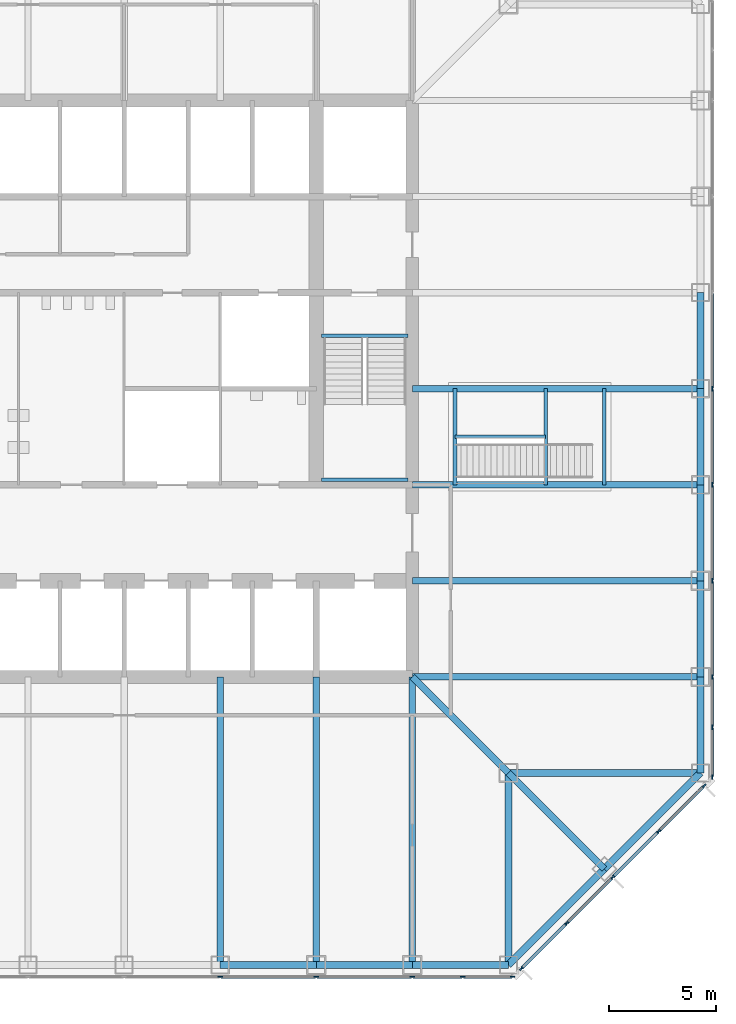
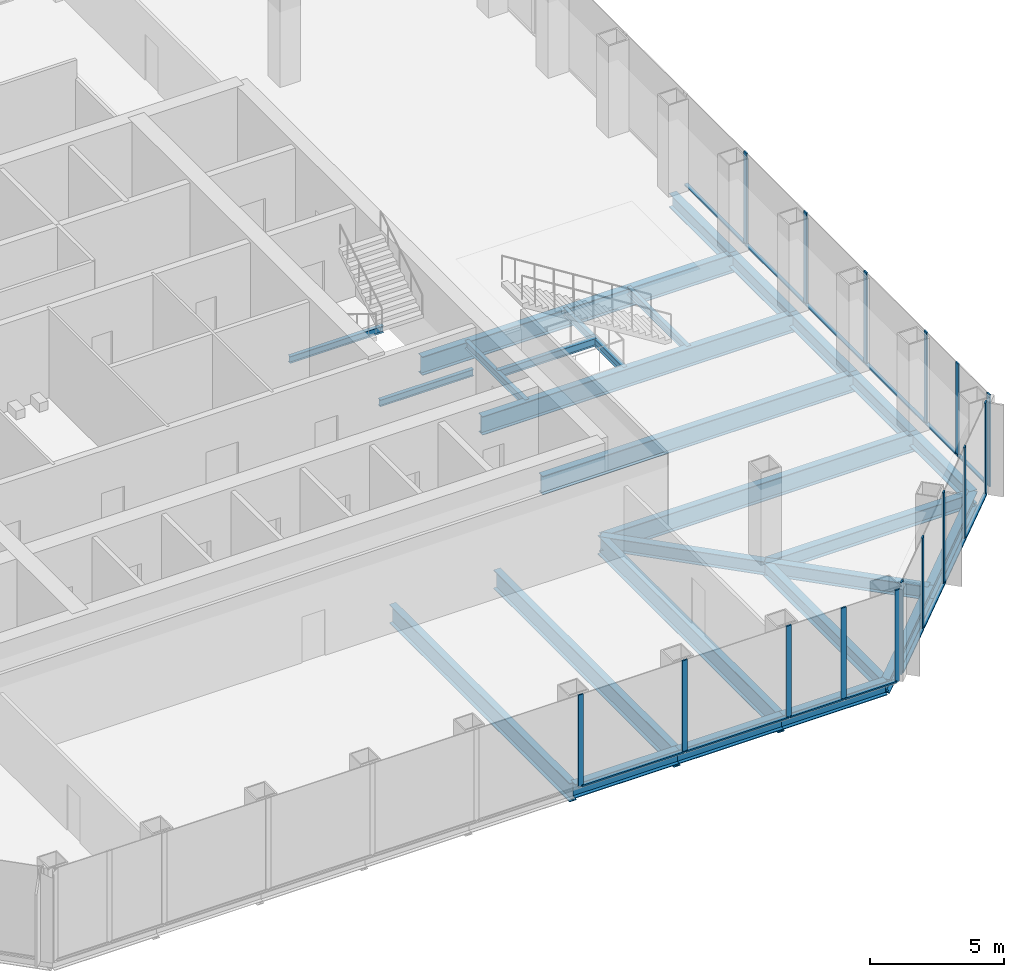
# One storey, part 4 of 12: 30 members, 27 beams, 3 elements without a shape of their own.
"""IFC4 building model written with IfcOpenShell, lengths in metres."""

import ifcopenshell
import ifcopenshell.guid

model = None  # the IFC model being written
_history = None  # IfcOwnerHistory: only IFC2X3 demands one
_inside = {}  # id of a spatial element -> (the spatial element, [elements in it])
_under = {}  # id of a project, library or spatial element -> (it, [spatial elements below it])
_declared = {}  # id of a project -> (the project, [libraries it declares])
_typed = {}  # id of a type object -> (the type object, [elements of that type])
_made_of = {}  # id of a material, layer set ... -> (it, [elements and type objects made of it])


def new_model(schema):
    """Start an empty IFC model of exactly this schema.

    Asked for "IFC4X3", IfcOpenShell would pick the latest addendum, in which some entities
    have other attributes; the version numbers below select the first issue.
    IFC2X3 requires an IfcOwnerHistory on every rooted entity: one is made here for all.
    """
    global model, _history
    if schema == "IFC4X3":
        model = ifcopenshell.file(schema_version=(4, 3, 0, 0))
    else:
        model = ifcopenshell.file(schema=schema)
    _inside.clear()
    _under.clear()
    _declared.clear()
    _typed.clear()
    _made_of.clear()
    _history = None
    if model.schema == "IFC2X3":
        org = make("IfcOrganization", Name="unknown")
        user = make(
            "IfcPersonAndOrganization",
            ThePerson=make("IfcPerson", FamilyName="unknown"),
            TheOrganization=org,
        )
        app = make(
            "IfcApplication",
            ApplicationDeveloper=org,
            Version="unknown",
            ApplicationFullName="unknown",
            ApplicationIdentifier="unknown",
        )
        _history = make(
            "IfcOwnerHistory",
            OwningUser=user,
            OwningApplication=app,
            ChangeAction="ADDED",
            CreationDate=0,
        )
    return model


def make(cls, **values):
    """One entity of the class cls with the attributes given. An attribute that is None is left unset."""
    return model.create_entity(
        cls, **{name: value for name, value in values.items() if value is not None}
    )


def rooted(cls, **values):
    """An entity with a GlobalId (a new one), such as an element, a storey or a relation."""
    return make(cls, GlobalId=ifcopenshell.guid.new(), OwnerHistory=_history, **values)


def si_unit(unit_type, name, prefix=None):
    """IfcSIUnit, for example si_unit("LENGTHUNIT", "METRE", prefix="MILLI")."""
    return make("IfcSIUnit", UnitType=unit_type, Prefix=prefix, Name=name)


def assignment(units):
    """IfcUnitAssignment: the units of a project."""
    return None if units is None else make("IfcUnitAssignment", Units=units)


def point(xyz):
    """IfcCartesianPoint."""
    return None if xyz is None else make("IfcCartesianPoint", Coordinates=xyz)


def direction(xyz):
    """IfcDirection."""
    return None if xyz is None else make("IfcDirection", DirectionRatios=xyz)


def frame(location, z_axis=None, x_axis=None):
    """IfcAxis2Placement3D, a coordinate frame: its origin and axes. An axis left out is left unset."""
    return make(
        "IfcAxis2Placement3D",
        Location=point(location),
        Axis=direction(z_axis),
        RefDirection=direction(x_axis),
    )


def frame_2d(location, x_axis=None):
    """IfcAxis2Placement2D, a coordinate frame in the plane: its origin and x axis."""
    return make(
        "IfcAxis2Placement2D", Location=point(location), RefDirection=direction(x_axis)
    )


def origin():
    """The frame at (0, 0, 0) with its axes left unset."""
    return frame((0.0, 0.0, 0.0))


def origin_2d():
    """The frame at (0, 0) in the plane with its x axis left unset."""
    return frame_2d((0.0, 0.0))


def place(relative_to, where):
    """IfcLocalPlacement: puts the frame where relative to a parent placement (None: the world)."""
    return make(
        "IfcLocalPlacement", PlacementRelTo=relative_to, RelativePlacement=where
    )


def context(
    kind, dimensions, precision=None, world=None, true_north=None, identifier=None
):
    """IfcGeometricRepresentationContext, for example the 3D "Model" context."""
    return make(
        "IfcGeometricRepresentationContext",
        ContextIdentifier=identifier,
        ContextType=kind,
        CoordinateSpaceDimension=dimensions,
        Precision=precision,
        WorldCoordinateSystem=world,
        TrueNorth=true_north,
    )


def subcontext(parent, identifier, kind, view, scale=None):
    """IfcGeometricRepresentationSubContext, for example "Body" below "Model"."""
    return make(
        "IfcGeometricRepresentationSubContext",
        ContextIdentifier=identifier,
        ContextType=kind,
        ParentContext=parent,
        TargetScale=scale,
        TargetView=view,
    )


def project(units=None, contexts=None):
    """IfcProject with its units and contexts."""
    return rooted(
        "IfcProject",
        Name="project",
        RepresentationContexts=contexts,
        UnitsInContext=assignment(units),
    )


def spatial(cls, under=None, at=None, **own):
    """A site, building, storey or space (cls), placed at a placement, below another one or the project."""
    s = rooted(cls, ObjectPlacement=at, **own)
    if under is not None:
        _under.setdefault(under.id(), (under, []))[1].append(s)
    return s


def profile(cls, at=None, kind="AREA", **sizes):
    """A parametric profile (cls). Its sizes go by their IFC names, for example OverallWidth=200.0."""
    return make(cls, ProfileType=kind, Position=at, **sizes)


def rectangle(**sizes):
    """IfcRectangleProfileDef."""
    return profile("IfcRectangleProfileDef", **sizes)


def i_section(**sizes):
    """IfcIShapeProfileDef."""
    return profile("IfcIShapeProfileDef", **sizes)


def extrude(swept, where, along, depth):
    """IfcExtrudedAreaSolid: the profile swept, set in the frame where, extruded along a direction by depth."""
    return make(
        "IfcExtrudedAreaSolid",
        SweptArea=swept,
        Position=where,
        ExtrudedDirection=direction(along),
        Depth=depth,
    )


def shape(context_of_items, identifier, shape_type, items):
    """IfcShapeRepresentation: the items that make up one representation, for example the "Body"."""
    return make(
        "IfcShapeRepresentation",
        ContextOfItems=context_of_items,
        RepresentationIdentifier=identifier,
        RepresentationType=shape_type,
        Items=items,
    )


def material(Name=None, Category=None):
    """IfcMaterial."""
    return make("IfcMaterial", Name=Name, Category=Category)


def material_profile(
    of_material, cross_section, Name=None, Category=None, Priority=None
):
    """IfcMaterialProfile: a cross section and its material."""
    return make(
        "IfcMaterialProfile",
        Name=Name,
        Material=of_material,
        Profile=cross_section,
        Priority=Priority,
        Category=Category,
    )


def profile_set(profiles, Name=None, composite=None):
    """IfcMaterialProfileSet."""
    return make(
        "IfcMaterialProfileSet",
        Name=Name,
        MaterialProfiles=profiles,
        CompositeProfile=composite,
    )


def made_of(thing, what):
    """Note that an element or type object is made of a material, layer set ...; save() writes the relation."""
    if what is not None:
        _made_of.setdefault(what.id(), (what, []))[1].append(thing)
    return thing


def type_object(cls, material=None, **own):
    """A type object (cls), such as IfcWallType, which elements share."""
    return made_of(rooted(cls, **own), material)


def element(
    cls,
    number,
    at=None,
    inside=None,
    cuts=None,
    type_object=None,
    material=None,
    context=None,
    identifier="Body",
    shape_type=None,
    held_by="IfcProductDefinitionShape",
    body=None,
    shapes=None,
    **own,
):
    """One element of the class cls, such as IfcWall. Its Tag is "e" and its number.

    at: its placement. inside: the storey or other place that contains it. cuts: it is an
    opening in that element (IfcRelVoidsElement). A single representation is given by context,
    identifier, shape_type and body (its items); several are given by shapes. held_by: the class
    of the entity that holds the representations. save() writes the other relations.
    """
    e = rooted(cls, Tag="e%d" % number, ObjectPlacement=at, **own)
    if body is not None:
        shapes = [shape(context, identifier, shape_type, body)]
    if shapes is not None:
        e.Representation = make(held_by, Representations=shapes)
    if inside is not None:
        _inside.setdefault(inside.id(), (inside, []))[1].append(e)
    if cuts is not None:
        rooted(
            "IfcRelVoidsElement", RelatingBuildingElement=cuts, RelatedOpeningElement=e
        )
    if type_object is not None:
        _typed.setdefault(type_object.id(), (type_object, []))[1].append(e)
    return made_of(e, material)


def aggregate(whole, parts):
    """IfcRelAggregates: a whole, such as a stair, and the parts it consists of."""
    return rooted("IfcRelAggregates", RelatingObject=whole, RelatedObjects=parts)


def save(model, path):
    """Write the relations noted so far, then the file.

    IfcRelAggregates (storeys below a building ...), IfcRelContainedInSpatialStructure (elements
    in a storey), IfcRelDefinesByType, IfcRelAssociatesMaterial and IfcRelDeclares: one each for
    every whole, place, type object, material and project.
    """
    for whole, parts in _under.values():
        aggregate(whole, parts)
    for where, things in _inside.values():
        rooted(
            "IfcRelContainedInSpatialStructure",
            RelatedElements=things,
            RelatingStructure=where,
        )
    for kind, things in _typed.values():
        rooted("IfcRelDefinesByType", RelatedObjects=things, RelatingType=kind)
    for what, things in _made_of.values():
        rooted("IfcRelAssociatesMaterial", RelatedObjects=things, RelatingMaterial=what)
    for by, libraries in _declared.values():
        rooted("IfcRelDeclares", RelatingContext=by, RelatedDefinitions=libraries)
    model.write(path)


model = new_model("IFC4")

# Units and contexts
model_context = context("Model", 3, precision=1e-05, world=origin(), true_north=direction((0.0, 1.0)))
body_context = subcontext(model_context, "Body", "Model", "MODEL_VIEW")
ifc_project = project(units=[si_unit("LENGTHUNIT", "METRE"), si_unit("AREAUNIT", "SQUARE_METRE"), si_unit("VOLUMEUNIT", "CUBIC_METRE"), si_unit("PLANEANGLEUNIT", "RADIAN"), si_unit("MASSUNIT", "GRAM", prefix="KILO")], contexts=[model_context])

# Site, building, storey
site_placement = place(None, origin())
site = spatial("IfcSite", under=ifc_project, at=site_placement, CompositionType="ELEMENT")
building_placement = place(site_placement, origin())
building = spatial("IfcBuilding", under=site, at=building_placement, Name="Corais Broadcast Tower", CompositionType="ELEMENT")
storey_placement = place(building_placement, frame((0.0, 0.0, 37.39990234375)))
storey = spatial("IfcBuildingStorey", under=building, at=storey_placement, Name="L07", CompositionType="ELEMENT", Elevation=37.39990234375)

# Beams
ifc_material_1 = material(Name="Steel ASTM A572 Grade 50", Category="steel")
ifc_material_profile_1 = material_profile(ifc_material_1, i_section(OverallWidth=0.323974609375, OverallDepth=0.611083984375, WebThickness=0.0126953125, FlangeThickness=0.01904296875, at=origin_2d()), Name="W610x155")
ifc_profile_set_1 = profile_set([ifc_material_profile_1], Name="Steel ASTM A572 Grade 50")
beam_type_1 = type_object("IfcBeamType", Name="Chamfer tie W610x155", PredefinedType="BEAM", material=ifc_profile_set_1)
beam_1_placement = place(storey_placement, frame((49.5, 4.5, -0.46533203125), z_axis=(-0.707106781187, 0.707106781187, 0.0), x_axis=(-0.707106781187, -0.707106781187, 0.0)))
element("IfcBeam", 1, at=beam_1_placement, inside=storey, type_object=beam_type_1, Name="B5 B/14 to C/13", PredefinedType="BEAM", context=body_context, shape_type="SweptSolid", body=[
    extrude(i_section(OverallWidth=0.323974609375, OverallDepth=0.611083984375, WebThickness=0.0126953125, FlangeThickness=0.01904296875, at=origin_2d()), origin(), (0.0, 0.0, 1.0), 6.364013671875),
])
ifc_material_2 = material(Name="Steel ASTM A572 Grade 50", Category="steel")
ifc_material_profile_2 = material_profile(ifc_material_2, i_section(OverallWidth=0.323974609375, OverallDepth=0.611083984375, WebThickness=0.0126953125, FlangeThickness=0.01904296875, at=origin_2d()), Name="W610x155")
ifc_profile_set_2 = profile_set([ifc_material_profile_2], Name="Steel ASTM A572 Grade 50")
beam_type_2 = type_object("IfcBeamType", Name="Corner diagonal W610x155", PredefinedType="BEAM", material=ifc_profile_set_2)
beam_2_placement = place(storey_placement, frame((45.0, 9.0, -0.46533203125), z_axis=(-0.707106781187, 0.707106781187, 0.0), x_axis=(-0.707106781187, -0.707106781187, 0.0)))
element("IfcBeam", 2, at=beam_2_placement, inside=storey, type_object=beam_type_2, Name="B6 C/13 to D/12", PredefinedType="BEAM", context=body_context, shape_type="SweptSolid", body=[
    extrude(i_section(OverallWidth=0.323974609375, OverallDepth=0.611083984375, WebThickness=0.0126953125, FlangeThickness=0.01904296875, at=origin_2d()), origin(), (0.0, 0.0, 1.0), 6.364013671875),
])
ifc_material_3 = material(Name="Steel ASTM A572 Grade 50", Category="steel")
ifc_material_profile_3 = material_profile(ifc_material_3, i_section(OverallWidth=0.323974609375, OverallDepth=0.611083984375, WebThickness=0.0126953125, FlangeThickness=0.01904296875, at=origin_2d()), Name="W610x155")
ifc_profile_set_3 = profile_set([ifc_material_profile_3], Name="Steel ASTM A572 Grade 50")
beam_type_3 = type_object("IfcBeamType", Name="Corner girder W610x155", PredefinedType="BEAM", material=ifc_profile_set_3)
for number, where, z_axis, x_axis, name in (
    (3, (45.0, 0.0, -0.46533203125), (0.0, 1.0, 0.0), (-1.0, 0.0, 0.0), "B4 A/13 to C/13"),
    (4, (54.0, 9.0, -0.46533203125), (-1.0, 0.0, 0.0), (0.0, -1.0, 0.0), "B4 C/15 to C/13"),
):
    element("IfcBeam", number, at=place(storey_placement, frame(where, z_axis=z_axis, x_axis=x_axis)), inside=storey, type_object=beam_type_3, Name=name, PredefinedType="BEAM", context=body_context, shape_type="SweptSolid", body=[
        extrude(i_section(OverallWidth=0.323974609375, OverallDepth=0.611083984375, WebThickness=0.0126953125, FlangeThickness=0.01904296875, at=origin_2d()), origin(), (0.0, 0.0, 1.0), 9.0),
    ])
ifc_material_4 = material(Name="Steel ASTM A572 Grade 50", Category="steel")
ifc_material_profile_4 = material_profile(ifc_material_4, i_section(OverallWidth=0.2939453125, OverallDepth=0.85107421875, WebThickness=0.01611328125, FlangeThickness=0.02685546875, at=origin_2d()), Name="W840x226")
ifc_profile_set_4 = profile_set([ifc_material_profile_4], Name="Steel ASTM A572 Grade 50")
beam_type_4 = type_object("IfcBeamType", Name="Floor beam W840x226", PredefinedType="BEAM", material=ifc_profile_set_4)
for number, where, z_axis, x_axis, name in (
    (5, (31.5, 0.0, -0.58544921875), (0.0, 1.0, 0.0), (-1.0, 0.0, 0.0), "B1 A/10 to D/10"),
    (6, (36.0, 0.0, -0.58544921875), (0.0, 1.0, 0.0), (-1.0, 0.0, 0.0), "B1 A/11 to D/11"),
    (7, (40.5, 0.0, -0.58544921875), (0.0, 1.0, 0.0), (-1.0, 0.0, 0.0), "B1 A/12 to D/12"),
    (8, (54.0, 13.5, -0.58544921875), (-1.0, 0.0, 0.0), (0.0, -1.0, 0.0), "B1 D/15 to D/12"),
    (9, (54.0, 18.0, -0.58544921875), (-1.0, 0.0, 0.0), (0.0, -1.0, 0.0), "B1 E/15 to E/12"),
    (10, (54.0, 22.5, -0.58544921875), (-1.0, 0.0, 0.0), (0.0, -1.0, 0.0), "B1 F/15 to F/12"),
    (11, (54.0, 27.0, -0.58544921875), (-1.0, 0.0, 0.0), (0.0, -1.0, 0.0), "B1 G/15 to G/12"),
):
    element("IfcBeam", number, at=place(storey_placement, frame(where, z_axis=z_axis, x_axis=x_axis)), inside=storey, type_object=beam_type_4, Name=name, PredefinedType="BEAM", context=body_context, shape_type="SweptSolid", body=[
        extrude(i_section(OverallWidth=0.2939453125, OverallDepth=0.85107421875, WebThickness=0.01611328125, FlangeThickness=0.02685546875, at=origin_2d()), origin(), (0.0, 0.0, 1.0), 13.5),
    ])
ifc_material_5 = material(Name="Steel ASTM A572 Grade 50", Category="steel")
ifc_material_profile_5 = material_profile(ifc_material_5, i_section(OverallWidth=0.1650390625, OverallDepth=0.31005859375, WebThickness=0.005859375, FlangeThickness=0.009765625, at=origin_2d()), Name="W310x38.7")
ifc_profile_set_5 = profile_set([ifc_material_profile_5], Name="Steel ASTM A572 Grade 50")
beam_type_5 = type_object("IfcBeamType", Name="Landing trimmer W310x38.7", PredefinedType="BEAM", material=ifc_profile_set_5)
for number, where, z_axis, x_axis, name in (
    (12, (36.25, 29.47509765625, -0.35498046875), (1.0, 0.0, 0.0), (0.0, 1.0, 0.0), "LT1 stair B landing trimmer L07"),
    (13, (36.25, 22.739990234375, 1.7451171875), (1.0, 0.0, 0.0), (0.0, 1.0, 0.0), "LT1 stair B half landing trimmer L07"),
):
    element("IfcBeam", number, at=place(storey_placement, frame(where, z_axis=z_axis, x_axis=x_axis)), inside=storey, type_object=beam_type_5, Name=name, PredefinedType="BEAM", context=body_context, shape_type="SweptSolid", body=[
        extrude(i_section(OverallWidth=0.1650390625, OverallDepth=0.31005859375, WebThickness=0.005859375, FlangeThickness=0.009765625, at=origin_2d()), origin(), (0.0, 0.0, 1.0), 4.050048828125),
    ])

# Curtain wall, members
ifc_material_6 = material(Name="Aluminium and glass", Category="aluminium")
curtain_wall_type = type_object("IfcCurtainWallType", Name="Newsroom clear-glass curtain wall CW7", PredefinedType="NOTDEFINED", material=ifc_material_6)
curtain_wall_1_placement = place(storey_placement, origin())
curtain_wall_1 = element("IfcCurtainWall", 14, at=curtain_wall_1_placement, inside=storey, type_object=curtain_wall_type, Name="CW7 curtain wall L07 6", PredefinedType="NOTDEFINED")
ifc_material_7 = material(Name="Aluminium 6063-T6", Category="aluminium")
ifc_material_profile_6 = material_profile(ifc_material_7, rectangle(XDim=0.06494140625, YDim=0.219970703125, at=origin_2d()), Name="Mullion CW7 65x220")
ifc_profile_set_6 = profile_set([ifc_material_profile_6], Name="Aluminium 6063-T6")
member_type_1 = type_object("IfcMemberType", Name="Mullion CW7 65x220", PredefinedType="MULLION", material=ifc_profile_set_6)
member_1_placement = place(storey_placement, frame((54.550048828125, 27.0, 0.0), z_axis=(0.0, 0.0, 1.0), x_axis=(1.0, 0.0, 0.0)))
member_1 = element("IfcMember", 15, at=member_1_placement, type_object=member_type_1, Name="CW7 mullion 6", PredefinedType="MULLION", context=body_context, shape_type="SweptSolid", body=[
    extrude(rectangle(XDim=0.06494140625, YDim=0.219970703125, at=origin_2d()), origin(), (0.0, 0.0, 1.0), 4.2001953125),
])
member_2_placement = place(storey_placement, frame((54.550048828125, 22.5, 0.0), z_axis=(0.0, 0.0, 1.0), x_axis=(1.0, 0.0, 0.0)))
member_2 = element("IfcMember", 16, at=member_2_placement, type_object=member_type_1, Name="CW7 mullion 7", PredefinedType="MULLION", context=body_context, shape_type="SweptSolid", body=[
    extrude(rectangle(XDim=0.06494140625, YDim=0.219970703125, at=origin_2d()), origin(), (0.0, 0.0, 1.0), 4.2001953125),
])
member_3_placement = place(storey_placement, frame((54.550048828125, 18.0, 0.0), z_axis=(0.0, 0.0, 1.0), x_axis=(1.0, 0.0, 0.0)))
member_3 = element("IfcMember", 17, at=member_3_placement, type_object=member_type_1, Name="CW7 mullion 8", PredefinedType="MULLION", context=body_context, shape_type="SweptSolid", body=[
    extrude(rectangle(XDim=0.06494140625, YDim=0.219970703125, at=origin_2d()), origin(), (0.0, 0.0, 1.0), 4.2001953125),
])
member_4_placement = place(storey_placement, frame((54.550048828125, 13.5, 0.0), z_axis=(0.0, 0.0, 1.0), x_axis=(1.0, 0.0, 0.0)))
member_4 = element("IfcMember", 18, at=member_4_placement, type_object=member_type_1, Name="CW7 mullion 9", PredefinedType="MULLION", context=body_context, shape_type="SweptSolid", body=[
    extrude(rectangle(XDim=0.06494140625, YDim=0.219970703125, at=origin_2d()), origin(), (0.0, 0.0, 1.0), 4.2001953125),
])
member_5_placement = place(storey_placement, frame((54.550048828125, 11.135986328125, 0.0), z_axis=(0.0, 0.0, 1.0), x_axis=(1.0, 0.0, 0.0)))
member_5 = element("IfcMember", 19, at=member_5_placement, type_object=member_type_1, Name="CW7 mullion 10", PredefinedType="MULLION", context=body_context, shape_type="SweptSolid", body=[
    extrude(rectangle(XDim=0.06494140625, YDim=0.219970703125, at=origin_2d()), origin(), (0.0, 0.0, 1.0), 4.2001953125),
])
member_6_placement = place(storey_placement, frame((54.550048828125, 8.8046875, 0.0), z_axis=(0.0, 0.0, 1.0), x_axis=(1.0, 0.0, 0.0)))
member_6 = element("IfcMember", 20, at=member_6_placement, type_object=member_type_1, Name="CW7 mullion 11", PredefinedType="MULLION", context=body_context, shape_type="SweptSolid", body=[
    extrude(rectangle(XDim=0.06494140625, YDim=0.219970703125, at=origin_2d()), origin(), (0.0, 0.0, 1.0), 4.2001953125),
])

curtain_wall_2_placement = place(storey_placement, origin())
curtain_wall_2 = element("IfcCurtainWall", 21, at=curtain_wall_2_placement, inside=storey, type_object=curtain_wall_type, Name="CW7 curtain wall L07 7", PredefinedType="NOTDEFINED")
member_7_placement = place(storey_placement, frame((54.17333984375, 8.3955078125, 0.0), z_axis=(0.0, 0.0, 1.0), x_axis=(0.707106781187, -0.707106781187, 0.0)))
member_7 = element("IfcMember", 22, at=member_7_placement, type_object=member_type_1, Name="CW7 mullion 1", PredefinedType="MULLION", context=body_context, shape_type="SweptSolid", body=[
    extrude(rectangle(XDim=0.06494140625, YDim=0.219970703125, at=origin_2d()), origin(), (0.0, 0.0, 1.0), 4.2001953125),
])
member_8_placement = place(storey_placement, frame((52.042724609375, 6.264892578125, 0.0), z_axis=(0.0, 0.0, 1.0), x_axis=(0.707106781187, -0.707106781187, 0.0)))
member_8 = element("IfcMember", 23, at=member_8_placement, type_object=member_type_1, Name="CW7 mullion 2", PredefinedType="MULLION", context=body_context, shape_type="SweptSolid", body=[
    extrude(rectangle(XDim=0.06494140625, YDim=0.219970703125, at=origin_2d()), origin(), (0.0, 0.0, 1.0), 4.2001953125),
])
member_9_placement = place(storey_placement, frame((49.888916015625, 4.111083984375, 0.0), z_axis=(0.0, 0.0, 1.0), x_axis=(0.707106781187, -0.707106781187, 0.0)))
member_9 = element("IfcMember", 24, at=member_9_placement, type_object=member_type_1, Name="CW7 mullion 3", PredefinedType="MULLION", context=body_context, shape_type="SweptSolid", body=[
    extrude(rectangle(XDim=0.06494140625, YDim=0.219970703125, at=origin_2d()), origin(), (0.0, 0.0, 1.0), 4.2001953125),
])
member_10_placement = place(storey_placement, frame((47.735107421875, 1.957275390625, 0.0), z_axis=(0.0, 0.0, 1.0), x_axis=(0.707106781187, -0.707106781187, 0.0)))
member_10 = element("IfcMember", 25, at=member_10_placement, type_object=member_type_1, Name="CW7 mullion 4", PredefinedType="MULLION", context=body_context, shape_type="SweptSolid", body=[
    extrude(rectangle(XDim=0.06494140625, YDim=0.219970703125, at=origin_2d()), origin(), (0.0, 0.0, 1.0), 4.2001953125),
])
member_11_placement = place(storey_placement, frame((45.6044921875, -0.17333984375, 0.0), z_axis=(0.0, 0.0, 1.0), x_axis=(0.707106781187, -0.707106781187, 0.0)))
member_11 = element("IfcMember", 26, at=member_11_placement, type_object=member_type_1, Name="CW7 mullion 5", PredefinedType="MULLION", context=body_context, shape_type="SweptSolid", body=[
    extrude(rectangle(XDim=0.06494140625, YDim=0.219970703125, at=origin_2d()), origin(), (0.0, 0.0, 1.0), 4.2001953125),
])

curtain_wall_3_placement = place(storey_placement, origin())
curtain_wall_3 = element("IfcCurtainWall", 27, at=curtain_wall_3_placement, inside=storey, type_object=curtain_wall_type, Name="CW7 curtain wall L07 8", PredefinedType="NOTDEFINED")
member_12_placement = place(storey_placement, frame((45.1953125, -0.550048828125, 0.0), z_axis=(0.0, 0.0, 1.0), x_axis=(0.0, -1.0, 0.0)))
member_12 = element("IfcMember", 28, at=member_12_placement, type_object=member_type_1, Name="CW7 mullion 1", PredefinedType="MULLION", context=body_context, shape_type="SweptSolid", body=[
    extrude(rectangle(XDim=0.06494140625, YDim=0.219970703125, at=origin_2d()), origin(), (0.0, 0.0, 1.0), 4.2001953125),
])
member_13_placement = place(storey_placement, frame((42.864013671875, -0.550048828125, 0.0), z_axis=(0.0, 0.0, 1.0), x_axis=(0.0, -1.0, 0.0)))
member_13 = element("IfcMember", 29, at=member_13_placement, type_object=member_type_1, Name="CW7 mullion 2", PredefinedType="MULLION", context=body_context, shape_type="SweptSolid", body=[
    extrude(rectangle(XDim=0.06494140625, YDim=0.219970703125, at=origin_2d()), origin(), (0.0, 0.0, 1.0), 4.2001953125),
])
member_14_placement = place(storey_placement, frame((40.5, -0.550048828125, 0.0), z_axis=(0.0, 0.0, 1.0), x_axis=(0.0, -1.0, 0.0)))
member_14 = element("IfcMember", 30, at=member_14_placement, type_object=member_type_1, Name="CW7 mullion 3", PredefinedType="MULLION", context=body_context, shape_type="SweptSolid", body=[
    extrude(rectangle(XDim=0.06494140625, YDim=0.219970703125, at=origin_2d()), origin(), (0.0, 0.0, 1.0), 4.2001953125),
])
member_15_placement = place(storey_placement, frame((36.0, -0.550048828125, 0.0), z_axis=(0.0, 0.0, 1.0), x_axis=(0.0, -1.0, 0.0)))
member_15 = element("IfcMember", 31, at=member_15_placement, type_object=member_type_1, Name="CW7 mullion 4", PredefinedType="MULLION", context=body_context, shape_type="SweptSolid", body=[
    extrude(rectangle(XDim=0.06494140625, YDim=0.219970703125, at=origin_2d()), origin(), (0.0, 0.0, 1.0), 4.2001953125),
])
member_16_placement = place(storey_placement, frame((31.5, -0.550048828125, 0.0), z_axis=(0.0, 0.0, 1.0), x_axis=(0.0, -1.0, 0.0)))
member_16 = element("IfcMember", 32, at=member_16_placement, type_object=member_type_1, Name="CW7 mullion 5", PredefinedType="MULLION", context=body_context, shape_type="SweptSolid", body=[
    extrude(rectangle(XDim=0.06494140625, YDim=0.219970703125, at=origin_2d()), origin(), (0.0, 0.0, 1.0), 4.2001953125),
])

# Beams
ifc_material_8 = material(Name="Steel ASTM A572 Grade 50", Category="steel")
ifc_material_profile_7 = material_profile(ifc_material_8, i_section(OverallWidth=0.3291015625, OverallDepth=0.635009765625, WebThickness=0.017822265625, FlangeThickness=0.031005859375, at=origin_2d()), Name="W610x241")
ifc_profile_set_7 = profile_set([ifc_material_profile_7], Name="Steel ASTM A572 Grade 50")
beam_type_6 = type_object("IfcBeamType", Name="Spandrel W610x241", PredefinedType="BEAM", material=ifc_profile_set_7)
for number, where, z_axis, x_axis, name in (
    (33, (31.5, 0.0, -0.477294921875), (1.0, 0.0, 0.0), (0.0, 1.0, 0.0), "SB1 A/10 to A/11"),
    (34, (36.0, 0.0, -0.477294921875), (1.0, 0.0, 0.0), (0.0, 1.0, 0.0), "SB1 A/11 to A/12"),
    (35, (40.5, 0.0, -0.477294921875), (1.0, 0.0, 0.0), (0.0, 1.0, 0.0), "SB1 A/12 to A/13"),
):
    element("IfcBeam", number, at=place(storey_placement, frame(where, z_axis=z_axis, x_axis=x_axis)), inside=storey, type_object=beam_type_6, Name=name, PredefinedType="BEAM", context=body_context, shape_type="SweptSolid", body=[
        extrude(i_section(OverallWidth=0.3291015625, OverallDepth=0.635009765625, WebThickness=0.017822265625, FlangeThickness=0.031005859375, at=origin_2d()), origin(), (0.0, 0.0, 1.0), 4.5),
    ])
for number, where, z_axis, x_axis, name in (
    (36, (45.0, 0.0, -0.477294921875), (0.707106781187, 0.707106781187, 0.0), (-0.707106781187, 0.707106781187, 0.0), "SB1 A/13 to B/14"),
    (37, (49.5, 4.5, -0.477294921875), (0.707106781187, 0.707106781187, 0.0), (-0.707106781187, 0.707106781187, 0.0), "SB1 B/14 to C/15"),
):
    element("IfcBeam", number, at=place(storey_placement, frame(where, z_axis=z_axis, x_axis=x_axis)), inside=storey, type_object=beam_type_6, Name=name, PredefinedType="BEAM", context=body_context, shape_type="SweptSolid", body=[
        extrude(i_section(OverallWidth=0.3291015625, OverallDepth=0.635009765625, WebThickness=0.017822265625, FlangeThickness=0.031005859375, at=origin_2d()), origin(), (0.0, 0.0, 1.0), 6.364013671875),
    ])
for number, where, z_axis, x_axis, name in (
    (38, (54.0, 13.5, -0.477294921875), (0.0, 1.0, 0.0), (-1.0, 0.0, 0.0), "SB1 D/15 to E/15"),
    (39, (54.0, 18.0, -0.477294921875), (0.0, 1.0, 0.0), (-1.0, 0.0, 0.0), "SB1 E/15 to F/15"),
    (40, (54.0, 22.5, -0.477294921875), (0.0, 1.0, 0.0), (-1.0, 0.0, 0.0), "SB1 F/15 to G/15"),
    (41, (54.0, 27.0, -0.477294921875), (0.0, 1.0, 0.0), (-1.0, 0.0, 0.0), "SB1 G/15 to H/15"),
    (42, (54.0, 9.0, -0.477294921875), (0.0, 1.0, 0.0), (-1.0, 0.0, 0.0), "SB1 C/15 to D/15"),
):
    element("IfcBeam", number, at=place(storey_placement, frame(where, z_axis=z_axis, x_axis=x_axis)), inside=storey, type_object=beam_type_6, Name=name, PredefinedType="BEAM", context=body_context, shape_type="SweptSolid", body=[
        extrude(i_section(OverallWidth=0.3291015625, OverallDepth=0.635009765625, WebThickness=0.017822265625, FlangeThickness=0.031005859375, at=origin_2d()), origin(), (0.0, 0.0, 1.0), 4.5),
    ])

# Member
ifc_material_9 = material(Name="Aluminium 6063-T6", Category="aluminium")
ifc_material_profile_8 = material_profile(ifc_material_9, rectangle(XDim=0.14990234375, YDim=0.06494140625, at=origin_2d()), Name="Transom CW7 65x150")
ifc_profile_set_8 = profile_set([ifc_material_profile_8], Name="Aluminium 6063-T6")
member_type_2 = type_object("IfcMemberType", Name="Transom CW7 65x150", PredefinedType="USERDEFINED", material=ifc_profile_set_8)
member_17_placement = place(storey_placement, frame((54.550048828125, 31.467529296875, 0.03271484375), z_axis=(0.0, -1.0, 0.0), x_axis=(1.0, 0.0, 0.0)))
member_17 = element("IfcMember", 43, at=member_17_placement, type_object=member_type_2, Name="CW7 transom 5.1", ObjectType="TRANSOM", PredefinedType="USERDEFINED", context=body_context, shape_type="SweptSolid", body=[
    extrude(rectangle(XDim=0.14990234375, YDim=0.06494140625, at=origin_2d()), origin(), (0.0, 0.0, 1.0), 4.43505859375),
])

member_18_placement = place(storey_placement, frame((54.550048828125, 26.967529296875, 0.03271484375), z_axis=(0.0, -1.0, 0.0), x_axis=(1.0, 0.0, 0.0)))
member_18 = element("IfcMember", 44, at=member_18_placement, type_object=member_type_2, Name="CW7 transom 6.1", ObjectType="TRANSOM", PredefinedType="USERDEFINED", context=body_context, shape_type="SweptSolid", body=[
    extrude(rectangle(XDim=0.14990234375, YDim=0.06494140625, at=origin_2d()), origin(), (0.0, 0.0, 1.0), 4.43505859375),
])

member_19_placement = place(storey_placement, frame((54.550048828125, 22.467529296875, 0.03271484375), z_axis=(0.0, -1.0, 0.0), x_axis=(1.0, 0.0, 0.0)))
member_19 = element("IfcMember", 45, at=member_19_placement, type_object=member_type_2, Name="CW7 transom 7.1", ObjectType="TRANSOM", PredefinedType="USERDEFINED", context=body_context, shape_type="SweptSolid", body=[
    extrude(rectangle(XDim=0.14990234375, YDim=0.06494140625, at=origin_2d()), origin(), (0.0, 0.0, 1.0), 4.43505859375),
])

member_20_placement = place(storey_placement, frame((54.550048828125, 17.967529296875, 0.03271484375), z_axis=(0.0, -1.0, 0.0), x_axis=(1.0, 0.0, 0.0)))
member_20 = element("IfcMember", 46, at=member_20_placement, type_object=member_type_2, Name="CW7 transom 8.1", ObjectType="TRANSOM", PredefinedType="USERDEFINED", context=body_context, shape_type="SweptSolid", body=[
    extrude(rectangle(XDim=0.14990234375, YDim=0.06494140625, at=origin_2d()), origin(), (0.0, 0.0, 1.0), 4.43505859375),
])

member_21_placement = place(storey_placement, frame((54.550048828125, 13.467529296875, 0.03271484375), z_axis=(0.0, -1.0, 0.0), x_axis=(1.0, 0.0, 0.0)))
member_21 = element("IfcMember", 47, at=member_21_placement, type_object=member_type_2, Name="CW7 transom 9.1", ObjectType="TRANSOM", PredefinedType="USERDEFINED", context=body_context, shape_type="SweptSolid", body=[
    extrude(rectangle(XDim=0.14990234375, YDim=0.06494140625, at=origin_2d()), origin(), (0.0, 0.0, 1.0), 2.298828125),
])

member_22_placement = place(storey_placement, frame((54.550048828125, 11.103515625, 0.03271484375), z_axis=(0.0, -1.0, 0.0), x_axis=(1.0, 0.0, 0.0)))
member_22 = element("IfcMember", 48, at=member_22_placement, type_object=member_type_2, Name="CW7 transom 10.1", ObjectType="TRANSOM", PredefinedType="USERDEFINED", context=body_context, shape_type="SweptSolid", body=[
    extrude(rectangle(XDim=0.14990234375, YDim=0.06494140625, at=origin_2d()), origin(), (0.0, 0.0, 1.0), 2.266357421875),
])

aggregate(curtain_wall_1, [member_1, member_2, member_3, member_4, member_5, member_6, member_17, member_18, member_19, member_20, member_21, member_22])

member_23_placement = place(storey_placement, frame((54.150390625, 8.37255859375, 0.03271484375), z_axis=(-0.707106781187, -0.707106781187, 0.0), x_axis=(0.707106781187, -0.707106781187, 0.0)))
member_23 = element("IfcMember", 49, at=member_23_placement, type_object=member_type_2, Name="CW7 transom 1.1", ObjectType="TRANSOM", PredefinedType="USERDEFINED", context=body_context, shape_type="SweptSolid", body=[
    extrude(rectangle(XDim=0.14990234375, YDim=0.06494140625, at=origin_2d()), origin(), (0.0, 0.0, 1.0), 2.9482421875),
])

member_24_placement = place(storey_placement, frame((52.019775390625, 6.241943359375, 0.03271484375), z_axis=(-0.707106781187, -0.707106781187, 0.0), x_axis=(0.707106781187, -0.707106781187, 0.0)))
member_24 = element("IfcMember", 50, at=member_24_placement, type_object=member_type_2, Name="CW7 transom 2.1", ObjectType="TRANSOM", PredefinedType="USERDEFINED", context=body_context, shape_type="SweptSolid", body=[
    extrude(rectangle(XDim=0.14990234375, YDim=0.06494140625, at=origin_2d()), origin(), (0.0, 0.0, 1.0), 2.98095703125),
])

member_25_placement = place(storey_placement, frame((49.865966796875, 4.088134765625, 0.03271484375), z_axis=(-0.707106781187, -0.707106781187, 0.0), x_axis=(0.707106781187, -0.707106781187, 0.0)))
member_25 = element("IfcMember", 51, at=member_25_placement, type_object=member_type_2, Name="CW7 transom 3.1", ObjectType="TRANSOM", PredefinedType="USERDEFINED", context=body_context, shape_type="SweptSolid", body=[
    extrude(rectangle(XDim=0.14990234375, YDim=0.06494140625, at=origin_2d()), origin(), (0.0, 0.0, 1.0), 2.98095703125),
])

member_26_placement = place(storey_placement, frame((47.712158203125, 1.934326171875, 0.03271484375), z_axis=(-0.707106781187, -0.707106781187, 0.0), x_axis=(0.707106781187, -0.707106781187, 0.0)))
member_26 = element("IfcMember", 52, at=member_26_placement, type_object=member_type_2, Name="CW7 transom 4.1", ObjectType="TRANSOM", PredefinedType="USERDEFINED", context=body_context, shape_type="SweptSolid", body=[
    extrude(rectangle(XDim=0.14990234375, YDim=0.06494140625, at=origin_2d()), origin(), (0.0, 0.0, 1.0), 2.9482421875),
])

aggregate(curtain_wall_2, [member_7, member_8, member_9, member_10, member_11, member_23, member_24, member_25, member_26])

member_27_placement = place(storey_placement, frame((45.162841796875, -0.550048828125, 0.03271484375), z_axis=(-1.0, 0.0, 0.0), x_axis=(0.0, -1.0, 0.0)))
member_27 = element("IfcMember", 53, at=member_27_placement, type_object=member_type_2, Name="CW7 transom 1.1", ObjectType="TRANSOM", PredefinedType="USERDEFINED", context=body_context, shape_type="SweptSolid", body=[
    extrude(rectangle(XDim=0.14990234375, YDim=0.06494140625, at=origin_2d()), origin(), (0.0, 0.0, 1.0), 2.266357421875),
])

member_28_placement = place(storey_placement, frame((42.831298828125, -0.550048828125, 0.03271484375), z_axis=(-1.0, 0.0, 0.0), x_axis=(0.0, -1.0, 0.0)))
member_28 = element("IfcMember", 54, at=member_28_placement, type_object=member_type_2, Name="CW7 transom 2.1", ObjectType="TRANSOM", PredefinedType="USERDEFINED", context=body_context, shape_type="SweptSolid", body=[
    extrude(rectangle(XDim=0.14990234375, YDim=0.06494140625, at=origin_2d()), origin(), (0.0, 0.0, 1.0), 2.298828125),
])

member_29_placement = place(storey_placement, frame((40.467529296875, -0.550048828125, 0.03271484375), z_axis=(-1.0, 0.0, 0.0), x_axis=(0.0, -1.0, 0.0)))
member_29 = element("IfcMember", 55, at=member_29_placement, type_object=member_type_2, Name="CW7 transom 3.1", ObjectType="TRANSOM", PredefinedType="USERDEFINED", context=body_context, shape_type="SweptSolid", body=[
    extrude(rectangle(XDim=0.14990234375, YDim=0.06494140625, at=origin_2d()), origin(), (0.0, 0.0, 1.0), 4.43505859375),
])

member_30_placement = place(storey_placement, frame((35.967529296875, -0.550048828125, 0.03271484375), z_axis=(-1.0, 0.0, 0.0), x_axis=(0.0, -1.0, 0.0)))
member_30 = element("IfcMember", 56, at=member_30_placement, type_object=member_type_2, Name="CW7 transom 4.1", ObjectType="TRANSOM", PredefinedType="USERDEFINED", context=body_context, shape_type="SweptSolid", body=[
    extrude(rectangle(XDim=0.14990234375, YDim=0.06494140625, at=origin_2d()), origin(), (0.0, 0.0, 1.0), 4.43505859375),
])

aggregate(curtain_wall_3, [member_12, member_13, member_14, member_15, member_16, member_27, member_28, member_29, member_30])

# Beams
ifc_material_10 = material(Name="Steel ASTM A572 Grade 50", Category="steel")
ifc_material_profile_9 = material_profile(ifc_material_10, i_section(OverallWidth=0.1708984375, OverallDepth=0.35205078125, WebThickness=0.0068359375, FlangeThickness=0.009765625, at=origin_2d()), Name="W360x44")
ifc_profile_set_9 = profile_set([ifc_material_profile_9], Name="Steel ASTM A572 Grade 50")
beam_type_7 = type_object("IfcBeamType", Name="Trimmer W360x44", PredefinedType="BEAM", material=ifc_profile_set_9)
beam_3_placement = place(storey_placement, frame((42.5, 22.5, -0.3359375), z_axis=(0.0, 1.0, 0.0), x_axis=(-1.0, 0.0, 0.0)))
element("IfcBeam", 57, at=beam_3_placement, inside=storey, type_object=beam_type_7, Name="B9 F/12 +2000 +0 to G/12 +2000 +0", PredefinedType="BEAM", context=body_context, shape_type="SweptSolid", body=[
    extrude(i_section(OverallWidth=0.1708984375, OverallDepth=0.35205078125, WebThickness=0.0068359375, FlangeThickness=0.009765625, at=origin_2d()), origin(), (0.0, 0.0, 1.0), 4.5),
])
beam_4_placement = place(storey_placement, frame((42.5, 24.75, -0.3359375), z_axis=(1.0, 0.0, 0.0), x_axis=(0.0, 1.0, 0.0)))
element("IfcBeam", 58, at=beam_4_placement, inside=storey, type_object=beam_type_7, Name="B9 F/12 +2000 +2250 to F/13 +1750 +2250", PredefinedType="BEAM", context=body_context, shape_type="SweptSolid", body=[
    extrude(i_section(OverallWidth=0.1708984375, OverallDepth=0.35205078125, WebThickness=0.0068359375, FlangeThickness=0.009765625, at=origin_2d()), origin(), (0.0, 0.0, 1.0), 4.25),
])
for number, where, z_axis, x_axis, name in (
    (59, (46.75, 22.5, -0.3359375), (0.0, 1.0, 0.0), (-1.0, 0.0, 0.0), "B9 F/13 +1750 +0 to G/13 +1750 +0"),
    (60, (49.5, 22.5, -0.3359375), (0.0, 1.0, 0.0), (-1.0, 0.0, 0.0), "B9 F/14 to G/14"),
):
    element("IfcBeam", number, at=place(storey_placement, frame(where, z_axis=z_axis, x_axis=x_axis)), inside=storey, type_object=beam_type_7, Name=name, PredefinedType="BEAM", context=body_context, shape_type="SweptSolid", body=[
        extrude(i_section(OverallWidth=0.1708984375, OverallDepth=0.35205078125, WebThickness=0.0068359375, FlangeThickness=0.009765625, at=origin_2d()), origin(), (0.0, 0.0, 1.0), 4.5),
    ])

save(model, "model.ifc")
